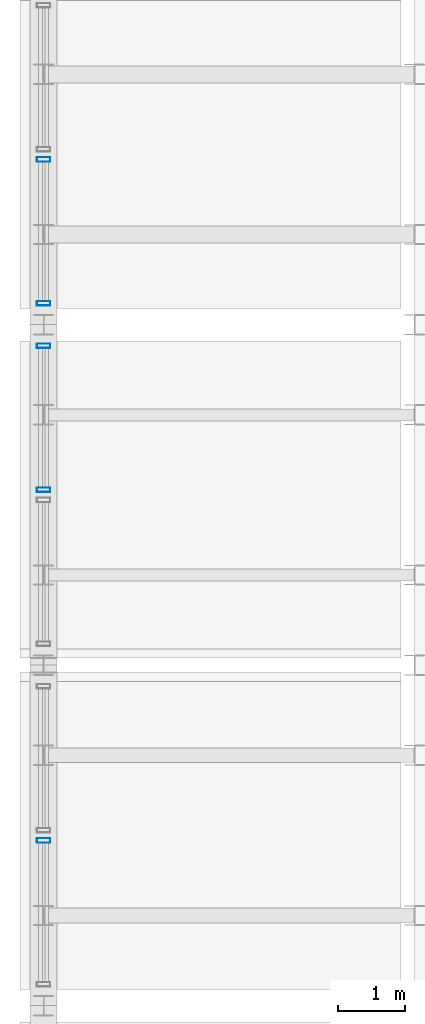
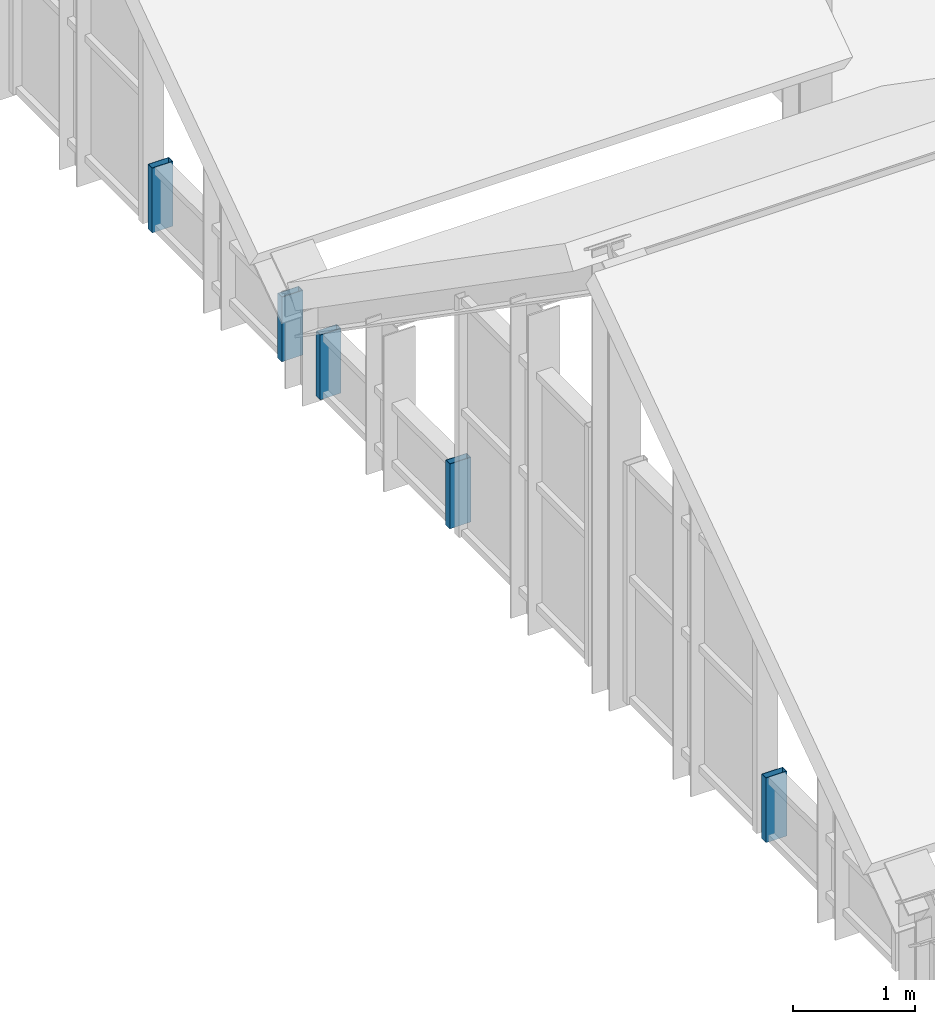
# One storey, part 16 of 21: 5 members, 3 elements without a shape of their own.
"""IFC4 building model written with IfcOpenShell, lengths in metres."""

from ifc_helpers import new_model, si_unit, direction, frame, origin, origin_2d, place, context, subcontext, project, spatial, hollow_rectangle, extrude, source, transform, mapped, material, layer, layer_set, material_profile, profile_set, type_object, element, aggregate, save


model = new_model("IFC4")

# Units and contexts
model_context = context("Model", 3, precision=1e-05, world=origin(), true_north=direction((0.0, 1.0)))
body_context = subcontext(model_context, "Body", "Model", "MODEL_VIEW")
ifc_project = project(units=[si_unit("LENGTHUNIT", "METRE"), si_unit("AREAUNIT", "SQUARE_METRE"), si_unit("VOLUMEUNIT", "CUBIC_METRE"), si_unit("PLANEANGLEUNIT", "RADIAN"), si_unit("MASSUNIT", "GRAM", prefix="KILO")], contexts=[model_context])

# Site, building, storey
site_placement = place(None, origin())
site = spatial("IfcSite", under=ifc_project, at=site_placement, CompositionType="ELEMENT")
building_placement = place(site_placement, origin())
building = spatial("IfcBuilding", under=site, at=building_placement, Name="Saelheon Loggia Tower", CompositionType="ELEMENT")
storey_placement = place(building_placement, frame((0.0, 0.0, 275.0)))
storey = spatial("IfcBuildingStorey", under=building, at=storey_placement, Name="ROOF", CompositionType="ELEMENT", Elevation=275.0)

# Curtain wall, member
ifc_material_1 = material(Name="Bronze-Anodised Aluminium and Fritted Ceramic Screen", Category="aluminium")
ifc_layer = layer(ifc_material_1, 0.219970703125)
ifc_layer_set = layer_set([ifc_layer], Name="Bronze-Anodised Aluminium and Fritted Ceramic Screen")
curtain_wall_type = type_object("IfcCurtainWallType", Name="CW_CrownScreen", PredefinedType="NOTDEFINED", material=ifc_layer_set)
curtain_wall_1_placement = place(storey_placement, origin())
curtain_wall_1 = element("IfcCurtainWall", 1, at=curtain_wall_1_placement, inside=storey, type_object=curtain_wall_type, Name="ROOF Wave Crest Curtain Wall W 03-1", PredefinedType="NOTDEFINED")
ifc_material_2 = material(Name="Bronze-Anodised Aluminium 6063-T6", Category="aluminium")
ifc_material_profile = material_profile(ifc_material_2, hollow_rectangle(XDim=0.070068359375, YDim=0.199951171875, WallThickness=0.0048828125, at=origin_2d()), Name="RHS-200x70x5")
ifc_profile_set = profile_set([ifc_material_profile], Name="Bronze-Anodised Aluminium 6063-T6")
member_type = type_object("IfcMemberType", Name="CW_CrownScreen_Mullion", PredefinedType="MULLION", material=ifc_profile_set)
shared_shape = source(origin(), body_context, "Body", "SweptSolid", [
    extrude(hollow_rectangle(XDim=0.070068359375, YDim=0.199951171875, WallThickness=0.0048828125, at=origin_2d()), origin(), (0.0, 0.0, 1.0), 0.64990234375),
])
member_1_placement = place(storey_placement, frame((23.35009765625, 24.39990234375, 0.02001953125), z_axis=(0.0, 0.0, 1.0), x_axis=(0.0, 1.0, 0.0)))
member_1 = element("IfcMember", 2, at=member_1_placement, type_object=member_type, Name="CW6 mullion 2", PredefinedType="MULLION", context=body_context, shape_type="MappedRepresentation", body=[
    mapped(shared_shape, transform((0.0, 0.0, 0.0), scale=1.0)),
])
aggregate(curtain_wall_1, [member_1])

# Curtain wall, members
curtain_wall_2_placement = place(storey_placement, origin())
curtain_wall_2 = element("IfcCurtainWall", 3, at=curtain_wall_2_placement, inside=storey, type_object=curtain_wall_type, Name="ROOF Wave Crest Curtain Wall W 04-2", PredefinedType="NOTDEFINED")
member_2_placement = place(storey_placement, frame((23.35009765625, 29.60009765625, 0.02001953125), z_axis=(0.0, 0.0, 1.0), x_axis=(0.0, 1.0, 0.0)))
member_2 = element("IfcMember", 4, at=member_2_placement, type_object=member_type, Name="CW6 mullion 1", PredefinedType="MULLION", context=body_context, shape_type="MappedRepresentation", body=[
    mapped(shared_shape, transform((0.0, 0.0, 0.0), scale=1.0)),
])
member_3_placement = place(storey_placement, frame((23.35009765625, 31.735107421875, 0.02001953125), z_axis=(0.0, 0.0, 1.0), x_axis=(0.0, 1.0, 0.0)))
member_3 = element("IfcMember", 5, at=member_3_placement, type_object=member_type, Name="CW6 mullion 2", PredefinedType="MULLION", context=body_context, shape_type="MappedRepresentation", body=[
    mapped(shared_shape, transform((0.0, 0.0, 0.0), scale=1.0)),
])
aggregate(curtain_wall_2, [member_2, member_3])

curtain_wall_3_placement = place(storey_placement, origin())
curtain_wall_3 = element("IfcCurtainWall", 6, at=curtain_wall_3_placement, inside=storey, type_object=curtain_wall_type, Name="ROOF Wave Crest Curtain Wall W 05-1", PredefinedType="NOTDEFINED")
member_4_placement = place(storey_placement, frame((23.35009765625, 32.364990234375, 0.02001953125), z_axis=(0.0, 0.0, 1.0), x_axis=(0.0, 1.0, 0.0)))
member_4 = element("IfcMember", 7, at=member_4_placement, type_object=member_type, Name="CW6 mullion 1", PredefinedType="MULLION", context=body_context, shape_type="MappedRepresentation", body=[
    mapped(shared_shape, transform((0.0, 0.0, 0.0), scale=1.0)),
])
member_5_placement = place(storey_placement, frame((23.35009765625, 34.5, 0.02001953125), z_axis=(0.0, 0.0, 1.0), x_axis=(0.0, 1.0, 0.0)))
member_5 = element("IfcMember", 8, at=member_5_placement, type_object=member_type, Name="CW6 mullion 2", PredefinedType="MULLION", context=body_context, shape_type="MappedRepresentation", body=[
    mapped(shared_shape, transform((0.0, 0.0, 0.0), scale=1.0)),
])
aggregate(curtain_wall_3, [member_4, member_5])

save(model, "model.ifc")
